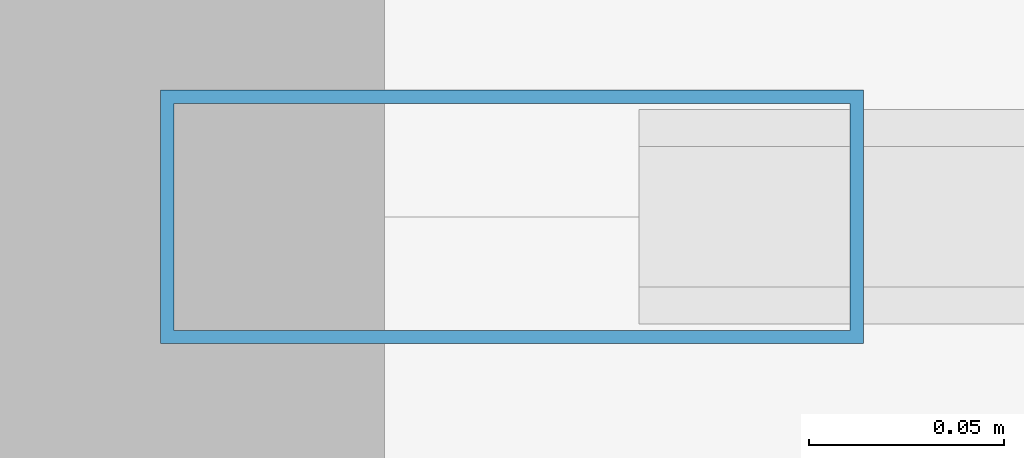
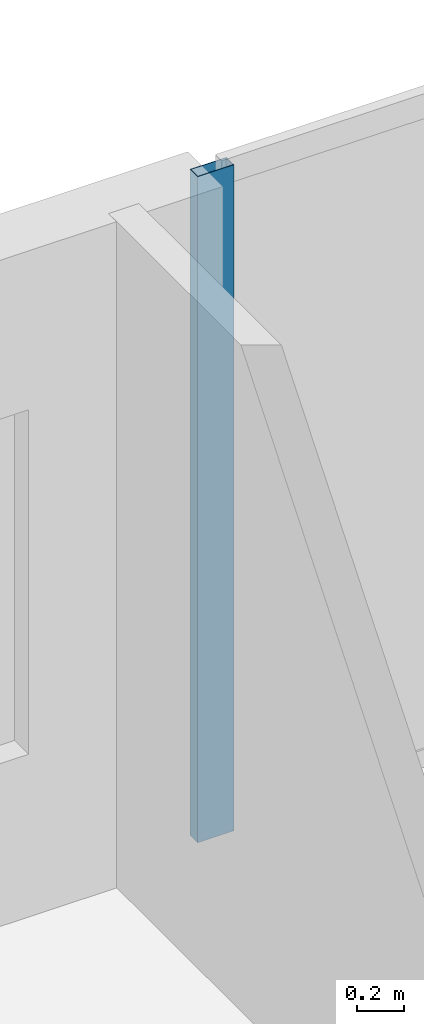
# One storey, part 14 of 26: 1 member, 1 element without a shape of its own.
"""IFC4 building model written with IfcOpenShell, lengths in metres."""

from ifc_helpers import new_model, si_unit, direction, frame, origin, origin_2d, place, context, subcontext, project, spatial, hollow_rectangle, extrude, material, layer, layer_set, material_profile, profile_set, type_object, element, aggregate, save


model = new_model("IFC4")

# Units and contexts
model_context = context("Model", 3, precision=1e-05, world=origin(), true_north=direction((0.0, 1.0)))
body_context = subcontext(model_context, "Body", "Model", "MODEL_VIEW")
ifc_project = project(units=[si_unit("LENGTHUNIT", "METRE"), si_unit("AREAUNIT", "SQUARE_METRE"), si_unit("VOLUMEUNIT", "CUBIC_METRE"), si_unit("PLANEANGLEUNIT", "RADIAN"), si_unit("MASSUNIT", "GRAM", prefix="KILO")], contexts=[model_context])

# Site, building, storey
site_placement = place(None, origin())
site = spatial("IfcSite", under=ifc_project, at=site_placement, CompositionType="ELEMENT")
building_placement = place(site_placement, origin())
building = spatial("IfcBuilding", under=site, at=building_placement, Name="Zuhayl Quay Hotel", CompositionType="ELEMENT")
storey_placement = place(building_placement, frame((0.0, 0.0, 247.050048828125)))
storey = spatial("IfcBuildingStorey", under=building, at=storey_placement, Name="L62", CompositionType="ELEMENT", Elevation=247.050048828125)

# Curtain wall, member
ifc_material_1 = material(Name="Anodised Aluminium 6063-T6", Category="aluminium")
ifc_layer = layer(ifc_material_1, 0.169921875, Name="Anodised Aluminium 6063-T6", Category="aluminium")
ifc_layer_set = layer_set([ifc_layer], Name="Anodised Aluminium 6063-T6")
curtain_wall_type = type_object("IfcCurtainWallType", Name="CW_SYS_Z4", PredefinedType="USERDEFINED", material=ifc_layer_set)
curtain_wall_placement = place(storey_placement, origin())
curtain_wall = element("IfcCurtainWall", 1, at=curtain_wall_placement, inside=storey, type_object=curtain_wall_type, Name="L62 Curtain Wall ENV_L62_N_CW1", ObjectType="UNITISED CURTAIN WALL", PredefinedType="USERDEFINED")
ifc_material_2 = material(Name="Black-anodised aluminium 6063-T6", Category="aluminium")
ifc_material_profile = material_profile(ifc_material_2, hollow_rectangle(XDim=0.06494140625, YDim=0.179931640625, WallThickness=0.00341796875, at=origin_2d()), Name="ALU180X65")
ifc_profile_set = profile_set([ifc_material_profile], Name="Black-anodised aluminium 6063-T6")
member_type = type_object("IfcMemberType", Name="MB_CW_MUL_180", PredefinedType="MULLION", material=ifc_profile_set)
member_placement = place(storey_placement, frame((8.282470703125, 39.0, 0.0), z_axis=(0.0, 0.0, 1.0), x_axis=(0.0, 1.0, 0.0)))
member = element("IfcMember", 2, at=member_placement, type_object=member_type, Name="CW-Z4 mullion 1", PredefinedType="MULLION", context=body_context, shape_type="SweptSolid", body=[
    extrude(hollow_rectangle(XDim=0.06494140625, YDim=0.179931640625, WallThickness=0.00341796875, at=origin_2d()), origin(), (0.0, 0.0, 1.0), 3.47998046875),
])
aggregate(curtain_wall, [member])

save(model, "model.ifc")
